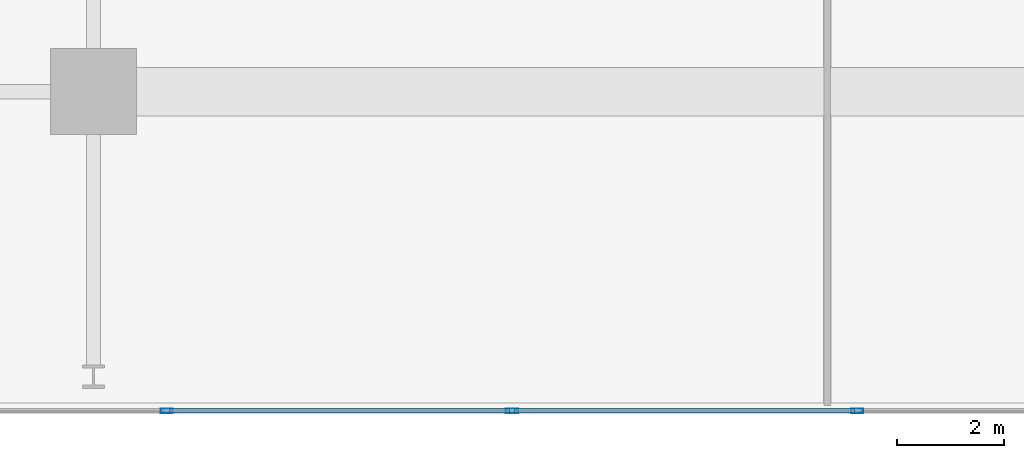
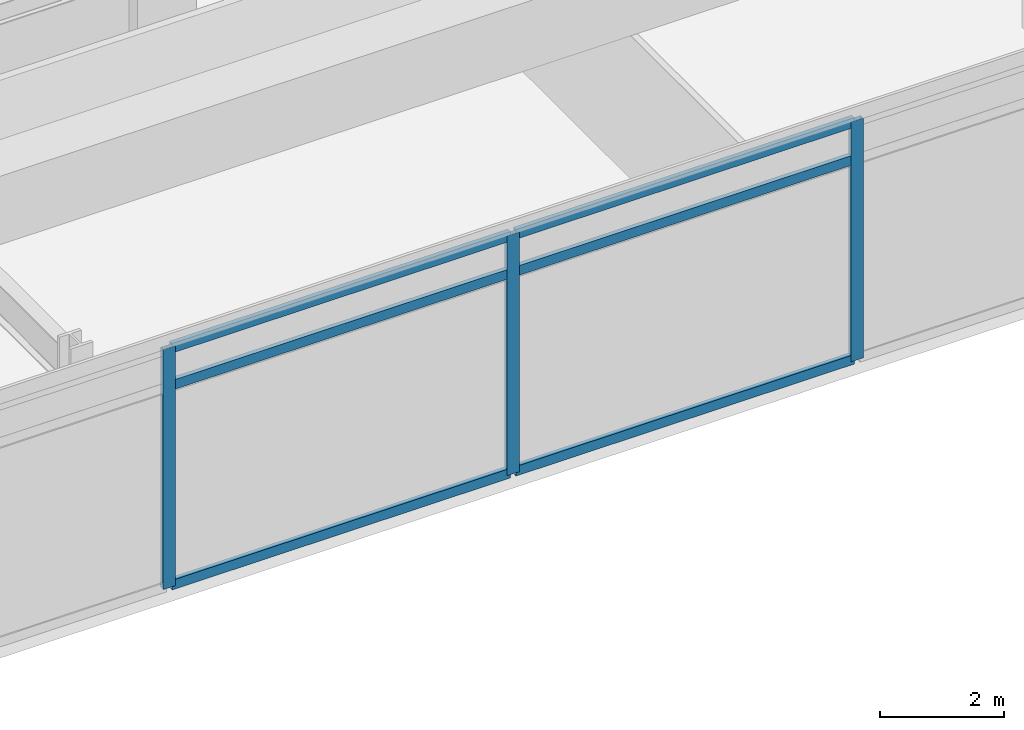
# One storey, part 4 of 20: 9 members, 1 element without a shape of its own.
"""IFC4 building model written with IfcOpenShell, lengths in metres."""

from ifc_helpers import new_model, si_unit, direction, frame, origin, origin_2d, place, context, subcontext, project, spatial, hollow_rectangle, extrude, material, material_profile, profile_set, type_object, element, aggregate, save


model = new_model("IFC4")

# Units and contexts
model_context = context("Model", 3, precision=1e-05, world=origin(), true_north=direction((0.0, 1.0)))
body_context = subcontext(model_context, "Body", "Model", "MODEL_VIEW")
ifc_project = project(units=[si_unit("LENGTHUNIT", "METRE"), si_unit("AREAUNIT", "SQUARE_METRE"), si_unit("VOLUMEUNIT", "CUBIC_METRE"), si_unit("PLANEANGLEUNIT", "RADIAN"), si_unit("MASSUNIT", "GRAM", prefix="KILO")], contexts=[model_context])

# Site, building, storey
site_placement = place(None, origin())
site = spatial("IfcSite", under=ifc_project, at=site_placement, CompositionType="ELEMENT")
building_placement = place(site_placement, origin())
building = spatial("IfcBuilding", under=site, at=building_placement, Name="Kovane Verandah Tower", CompositionType="ELEMENT")
storey_placement = place(building_placement, frame((0.0, 0.0, 123.39990234375)))
storey = spatial("IfcBuildingStorey", under=building, at=storey_placement, Name="L28", CompositionType="ELEMENT", Elevation=123.39990234375)

# Curtain wall, members
ifc_material_1 = material(Name="Champagne Anodised Aluminium Frame with Low-E Clear Laminated Glass", Category="aluminium")
curtain_wall_type = type_object("IfcCurtainWallType", Name="CW-SYS-03-MID", PredefinedType="NOTDEFINED", material=ifc_material_1)
curtain_wall_placement = place(storey_placement, origin())
curtain_wall = element("IfcCurtainWall", 1, at=curtain_wall_placement, inside=storey, type_object=curtain_wall_type, Name="L28 S Unitised Curtain Wall", PredefinedType="NOTDEFINED")
ifc_material_2 = material(Name="Champagne Anodised Aluminium 6063-T6", Category="aluminium")
ifc_material_profile_1 = material_profile(ifc_material_2, hollow_rectangle(XDim=0.0849609375, YDim=0.22998046875, WallThickness=0.00390625, at=origin_2d()), Name="AL85x230x4")
ifc_profile_set_1 = profile_set([ifc_material_profile_1], Name="Champagne Anodised Aluminium 6063-T6")
member_type_1 = type_object("IfcMemberType", Name="CW-MUL-85x230", PredefinedType="MULLION", material=ifc_profile_set_1)
member_1_placement = place(storey_placement, frame((30.36376953125, 4.86083984375, 0.02001953125), z_axis=(0.0, 0.0, 1.0), x_axis=(0.0, -1.0, 0.0)))
member_1 = element("IfcMember", 2, at=member_1_placement, type_object=member_type_1, Name="L28 S Unitised Curtain Wall Mullion 3", PredefinedType="MULLION", context=body_context, shape_type="SweptSolid", body=[
    extrude(hollow_rectangle(XDim=0.0849609375, YDim=0.22998046875, WallThickness=0.00390625, at=origin_2d()), origin(), (0.0, 0.0, 1.0), 4.735107421875),
])
member_2_placement = place(storey_placement, frame((36.787841796875, 4.86083984375, 0.02001953125), z_axis=(0.0, 0.0, 1.0), x_axis=(0.0, -1.0, 0.0)))
member_2 = element("IfcMember", 3, at=member_2_placement, type_object=member_type_1, Name="L28 S Unitised Curtain Wall Mullion 4", PredefinedType="MULLION", context=body_context, shape_type="SweptSolid", body=[
    extrude(hollow_rectangle(XDim=0.0849609375, YDim=0.22998046875, WallThickness=0.00390625, at=origin_2d()), origin(), (0.0, 0.0, 1.0), 4.735107421875),
])
member_3_placement = place(storey_placement, frame((43.212158203125, 4.86083984375, 0.02001953125), z_axis=(0.0, 0.0, 1.0), x_axis=(0.0, -1.0, 0.0)))
member_3 = element("IfcMember", 4, at=member_3_placement, type_object=member_type_1, Name="L28 S Unitised Curtain Wall Mullion 5", PredefinedType="MULLION", context=body_context, shape_type="SweptSolid", body=[
    extrude(hollow_rectangle(XDim=0.0849609375, YDim=0.22998046875, WallThickness=0.00390625, at=origin_2d()), origin(), (0.0, 0.0, 1.0), 4.735107421875),
])
ifc_material_profile_2 = material_profile(ifc_material_2, hollow_rectangle(XDim=0.0849609375, YDim=0.18994140625, WallThickness=0.00390625, at=origin_2d()), Name="AL85x190x4")
ifc_profile_set_2 = profile_set([ifc_material_profile_2], Name="Champagne Anodised Aluminium 6063-T6")
member_type_2 = type_object("IfcMemberType", Name="CW-TRN-85x190", PredefinedType="USERDEFINED", material=ifc_profile_set_2)
member_4_placement = place(storey_placement, frame((30.413818359375, 4.86083984375, 0.050048828125), z_axis=(1.0, 0.0, 0.0), x_axis=(0.0, 1.0, 0.0)))
member_4 = element("IfcMember", 5, at=member_4_placement, type_object=member_type_2, Name="L28 S Unitised Curtain Wall Transom TB Bay 3", ObjectType="TRANSOM", PredefinedType="USERDEFINED", context=body_context, shape_type="SweptSolid", body=[
    extrude(hollow_rectangle(XDim=0.0849609375, YDim=0.18994140625, WallThickness=0.00390625, at=origin_2d()), origin(), (0.0, 0.0, 1.0), 6.323974609375),
])
member_5_placement = place(storey_placement, frame((30.413818359375, 4.86083984375, 3.9951171875), z_axis=(1.0, 0.0, 0.0), x_axis=(0.0, 1.0, 0.0)))
member_5 = element("IfcMember", 6, at=member_5_placement, type_object=member_type_2, Name="L28 S Unitised Curtain Wall Transom TM Bay 3", ObjectType="TRANSOM", PredefinedType="USERDEFINED", context=body_context, shape_type="SweptSolid", body=[
    extrude(hollow_rectangle(XDim=0.0849609375, YDim=0.18994140625, WallThickness=0.00390625, at=origin_2d()), origin(), (0.0, 0.0, 1.0), 6.323974609375),
])
member_6_placement = place(storey_placement, frame((30.413818359375, 4.86083984375, 4.72509765625), z_axis=(1.0, 0.0, 0.0), x_axis=(0.0, 1.0, 0.0)))
member_6 = element("IfcMember", 7, at=member_6_placement, type_object=member_type_2, Name="L28 S Unitised Curtain Wall Transom TT Bay 3", ObjectType="TRANSOM", PredefinedType="USERDEFINED", context=body_context, shape_type="SweptSolid", body=[
    extrude(hollow_rectangle(XDim=0.0849609375, YDim=0.18994140625, WallThickness=0.00390625, at=origin_2d()), origin(), (0.0, 0.0, 1.0), 6.323974609375),
])
member_7_placement = place(storey_placement, frame((36.837890625, 4.86083984375, 0.050048828125), z_axis=(1.0, 0.0, 0.0), x_axis=(0.0, 1.0, 0.0)))
member_7 = element("IfcMember", 8, at=member_7_placement, type_object=member_type_2, Name="L28 S Unitised Curtain Wall Transom TB Bay 4", ObjectType="TRANSOM", PredefinedType="USERDEFINED", context=body_context, shape_type="SweptSolid", body=[
    extrude(hollow_rectangle(XDim=0.0849609375, YDim=0.18994140625, WallThickness=0.00390625, at=origin_2d()), origin(), (0.0, 0.0, 1.0), 6.32421875),
])
member_8_placement = place(storey_placement, frame((36.837890625, 4.86083984375, 3.9951171875), z_axis=(1.0, 0.0, 0.0), x_axis=(0.0, 1.0, 0.0)))
member_8 = element("IfcMember", 9, at=member_8_placement, type_object=member_type_2, Name="L28 S Unitised Curtain Wall Transom TM Bay 4", ObjectType="TRANSOM", PredefinedType="USERDEFINED", context=body_context, shape_type="SweptSolid", body=[
    extrude(hollow_rectangle(XDim=0.0849609375, YDim=0.18994140625, WallThickness=0.00390625, at=origin_2d()), origin(), (0.0, 0.0, 1.0), 6.32421875),
])
member_9_placement = place(storey_placement, frame((36.837890625, 4.86083984375, 4.72509765625), z_axis=(1.0, 0.0, 0.0), x_axis=(0.0, 1.0, 0.0)))
member_9 = element("IfcMember", 10, at=member_9_placement, type_object=member_type_2, Name="L28 S Unitised Curtain Wall Transom TT Bay 4", ObjectType="TRANSOM", PredefinedType="USERDEFINED", context=body_context, shape_type="SweptSolid", body=[
    extrude(hollow_rectangle(XDim=0.0849609375, YDim=0.18994140625, WallThickness=0.00390625, at=origin_2d()), origin(), (0.0, 0.0, 1.0), 6.32421875),
])
aggregate(curtain_wall, [member_1, member_2, member_3, member_4, member_5, member_6, member_7, member_8, member_9])

save(model, "model.ifc")
